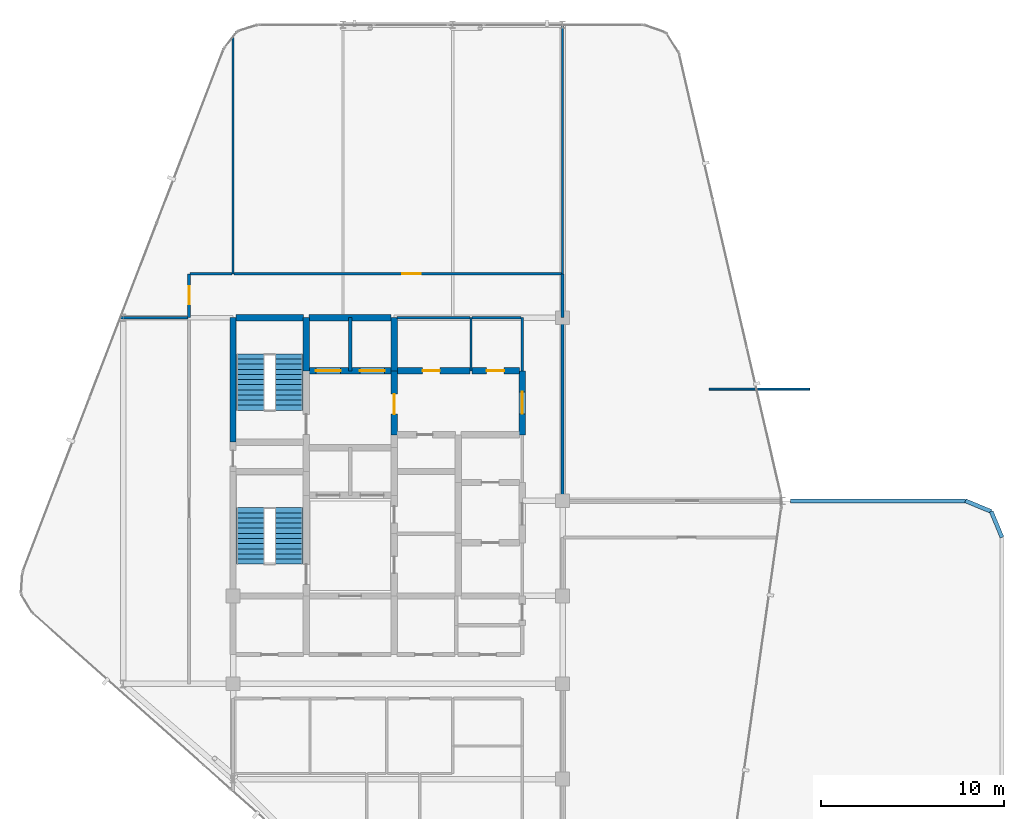
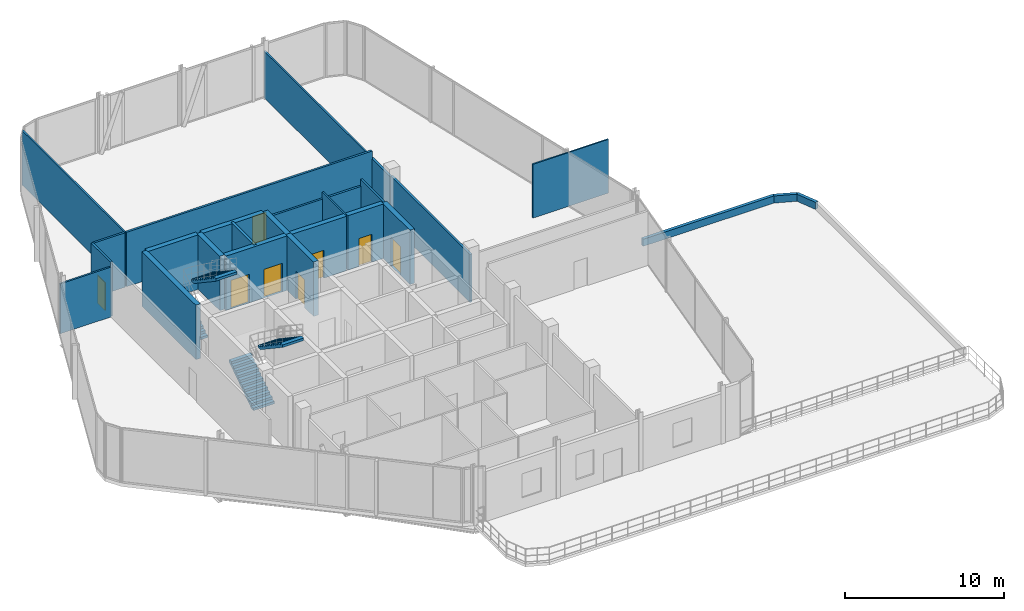
# One storey, part 22 of 24: 27 walls, 8 doors, 4 stair flights, 8 openings, 2 elements without a shape of their own.
"""IFC4 building model written with IfcOpenShell, lengths in metres."""

from ifc_helpers import new_model, si_unit, direction, frame, frame_2d, origin, place, context, subcontext, project, spatial, polyline, rectangle, outline, extrude, material, layer, layer_set, type_object, element, fill, aggregate, save


model = new_model("IFC4")

# Units and contexts
model_context = context("Model", 3, precision=1e-05, world=origin(), true_north=direction((0.0, 1.0)))
body_context = subcontext(model_context, "Body", "Model", "MODEL_VIEW")
ifc_project = project(units=[si_unit("LENGTHUNIT", "METRE"), si_unit("AREAUNIT", "SQUARE_METRE"), si_unit("VOLUMEUNIT", "CUBIC_METRE"), si_unit("PLANEANGLEUNIT", "RADIAN"), si_unit("MASSUNIT", "GRAM", prefix="KILO")], contexts=[model_context])

# Site, building, storey
site_placement = place(None, origin())
site = spatial("IfcSite", under=ifc_project, at=site_placement, CompositionType="ELEMENT")
building_placement = place(site_placement, origin())
building = spatial("IfcBuilding", under=site, at=building_placement, Name="Keshet Zoharim Tower", CompositionType="ELEMENT")
storey_placement = place(building_placement, frame((0.0, 0.0, 242.800048828125)))
storey = spatial("IfcBuildingStorey", under=building, at=storey_placement, Name="L60", CompositionType="ELEMENT", Elevation=242.800048828125)

# Wall, opening, door
ifc_material_1 = material(Name="Gypsum Plasterboard", Category="gypsum")
ifc_layer_1 = layer(ifc_material_1, 0.14990234375)
ifc_layer_set_1 = layer_set([ifc_layer_1], Name="Gypsum Plasterboard")
wall_type_1 = type_object("IfcWallType", Name="WL-CLIN-150", PredefinedType="STANDARD", material=ifc_layer_set_1)
wall_1_placement = place(storey_placement, frame((12.60009765625, 37.89990234375, 0.0), z_axis=(0.0, 0.0, 1.0), x_axis=(0.0, 1.0, 0.0)))
wall_1 = element("IfcWall", 1, at=wall_1_placement, inside=storey, type_object=wall_type_1, Name="L60 Interior Wall 002", PredefinedType="STANDARD", context=body_context, shape_type="SweptSolid", body=[
    extrude(rectangle(XDim=2.400146484375, YDim=0.14990234375, at=frame_2d((1.2001953125, 0.0))), origin(), (0.0, 0.0, 1.0), 4.18994140625),
])
opening_1_placement = place(wall_1_placement, frame((0.72509765625, 0.0, 0.0)))
opening_1 = element("IfcOpeningElement", 2, at=opening_1_placement, cuts=wall_1, Name="Opening D-F310", PredefinedType="OPENING", context=body_context, shape_type="SweptSolid", body=[
    extrude(rectangle(XDim=1.0, YDim=2.14990234375, at=frame_2d((0.5, 1.074951171875))), frame((0.0, 0.0849609375, 0.0), z_axis=(0.0, -1.0, 0.0), x_axis=(1.0, 0.0, 0.0)), (0.0, 0.0, 1.0), 0.169921875),
])
ifc_material_2 = material(Name="Hardwood Timber", Category="wood")
door_type_1 = type_object("IfcDoorType", Name="DR-FD30-100", OperationType="NOTDEFINED", PredefinedType="DOOR", material=ifc_material_2)
door_1_placement = place(opening_1_placement, origin())
door_1 = element("IfcDoor", 3, at=door_1_placement, inside=storey, type_object=door_type_1, Name="L60 North-West Residents Salon Door", OperationType="SINGLE_SWING_LEFT", OverallHeight=2.14990234375, OverallWidth=1.0, PredefinedType="DOOR", context=body_context, shape_type="SweptSolid", body=[
    extrude(rectangle(XDim=1.0, YDim=2.14990234375, at=frame_2d((0.5, 1.074951171875))), frame((0.0, 0.02490234375, 0.0), z_axis=(0.0, -1.0, 0.0), x_axis=(1.0, 0.0, 0.0)), (0.0, 0.0, 1.0), 0.050048828125),
])
fill(opening_1, door_1)

# Walls
wall_2_placement = place(storey_placement, frame((30.800048828125, 35.0, 0.0), z_axis=(0.0, 0.0, 1.0), x_axis=(0.0, 1.0, 0.0)))
element("IfcWall", 4, at=wall_2_placement, inside=storey, type_object=wall_type_1, Name="L60 Interior Wall 045", PredefinedType="STANDARD", context=body_context, shape_type="SweptSolid", body=[
    extrude(rectangle(XDim=2.89990234375, YDim=0.14990234375, at=frame_2d((1.449951171875, 0.0))), origin(), (0.0, 0.0, 1.0), 4.18994140625),
])
wall_3_placement = place(storey_placement, frame((33.0, 27.89990234375, 0.0), z_axis=(0.0, 0.0, 1.0), x_axis=(0.0, 1.0, 0.0)))
element("IfcWall", 5, at=wall_3_placement, inside=storey, type_object=wall_type_1, Name="L60 Interior Wall 047", PredefinedType="STANDARD", context=body_context, shape_type="SweptSolid", body=[
    extrude(rectangle(XDim=10.0, YDim=0.14990234375, at=frame_2d((5.0, 0.0))), origin(), (0.0, 0.0, 1.0), 3.68994140625),
])
wall_4_placement = place(storey_placement, frame((23.9599609375, 37.89990234375, 0.0), z_axis=(0.0, 0.0, 1.0), x_axis=(1.0, 0.0, 0.0)))
element("IfcWall", 6, at=wall_4_placement, inside=storey, type_object=wall_type_1, Name="L60 Interior Wall 087", PredefinedType="STANDARD", context=body_context, shape_type="SweptSolid", body=[
    extrude(rectangle(XDim=3.9951171875, YDim=0.14990234375, at=frame_2d((1.99755859375, 0.0))), origin(), (0.0, 0.0, 1.0), 3.68994140625),
])
wall_5_placement = place(storey_placement, frame((28.044921875, 37.89990234375, 0.0), z_axis=(0.0, 0.0, 1.0), x_axis=(1.0, 0.0, 0.0)))
element("IfcWall", 7, at=wall_5_placement, inside=storey, type_object=wall_type_1, Name="L60 Interior Wall 088", PredefinedType="STANDARD", context=body_context, shape_type="SweptSolid", body=[
    extrude(rectangle(XDim=2.695068359375, YDim=0.14990234375, at=frame_2d((1.34765625, 0.0))), origin(), (0.0, 0.0, 1.0), 3.68994140625),
])
wall_6_placement = place(storey_placement, frame((12.659912109375, 40.300048828125, 0.0), z_axis=(0.0, 0.0, 1.0), x_axis=(1.0, 0.0, 0.0)))
element("IfcWall", 8, at=wall_6_placement, inside=storey, type_object=wall_type_1, Name="L60 Interior Wall 089", PredefinedType="STANDARD", context=body_context, shape_type="SweptSolid", body=[
    extrude(rectangle(XDim=2.295166015625, YDim=0.14990234375, at=frame_2d((1.1474609375, 0.0))), origin(), (0.0, 0.0, 1.0), 4.18994140625),
])

# Wall, opening, door
wall_7_placement = place(storey_placement, frame((15.044921875, 40.300048828125, 0.0), z_axis=(0.0, 0.0, 1.0), x_axis=(1.0, 0.0, 0.0)))
wall_7 = element("IfcWall", 9, at=wall_7_placement, inside=storey, type_object=wall_type_1, Name="L60 Interior Wall 090", PredefinedType="STANDARD", context=body_context, shape_type="SweptSolid", body=[
    extrude(rectangle(XDim=17.89501953125, YDim=0.14990234375, at=frame_2d((8.947509765625, 0.0))), origin(), (0.0, 0.0, 1.0), 4.18994140625),
])
opening_2_placement = place(wall_7_placement, frame((9.205078125, 0.0, 0.0)))
opening_2 = element("IfcOpeningElement", 10, at=opening_2_placement, cuts=wall_7, Name="Opening D-F310", PredefinedType="OPENING", context=body_context, shape_type="SweptSolid", body=[
    extrude(rectangle(XDim=1.0, YDim=2.14990234375, at=frame_2d((0.5, 1.074951171875))), frame((0.0, 0.0849609375, 0.0), z_axis=(0.0, -1.0, 0.0), x_axis=(1.0, 0.0, 0.0)), (0.0, 0.0, 1.0), 0.169921875),
])
door_2_placement = place(opening_2_placement, origin())
door_2 = element("IfcDoor", 11, at=door_2_placement, inside=storey, type_object=door_type_1, Name="L60 Library and Study Room Door", OperationType="SINGLE_SWING_RIGHT", OverallHeight=2.14990234375, OverallWidth=1.0, PredefinedType="DOOR", context=body_context, shape_type="SweptSolid", body=[
    extrude(rectangle(XDim=1.0, YDim=2.14990234375, at=frame_2d((0.5, 1.074951171875))), frame((0.0, 0.02490234375, 0.0), z_axis=(0.0, -1.0, 0.0), x_axis=(1.0, 0.0, 0.0)), (0.0, 0.0, 1.0), 0.050048828125),
])
fill(opening_2, door_2)

# Walls
wall_8_placement = place(storey_placement, frame((33.0, 37.89990234375, 0.0), z_axis=(0.0, 0.0, 1.0), x_axis=(0.0, 1.0, 0.0)))
element("IfcWall", 12, at=wall_8_placement, inside=storey, type_object=wall_type_1, Name="L60 Interior Wall 047 Part 2", PredefinedType="STANDARD", context=body_context, shape_type="SweptSolid", body=[
    extrude(rectangle(XDim=2.400146484375, YDim=0.14990234375, at=frame_2d((1.2001953125, 0.0))), origin(), (0.0, 0.0, 1.0), 3.58984375),
])
ifc_material_3 = material(Name="Concrete C60/75", Category="concrete")
ifc_layer_2 = layer(ifc_material_3, 0.35009765625)
ifc_layer_set_2 = layer_set([ifc_layer_2], Name="Concrete C60/75")
wall_type_2 = type_object("IfcWallType", Name="WL-CORE-350", PredefinedType="SHEAR", material=ifc_layer_set_2)
wall_9_placement = place(storey_placement, frame((15.0, 31.10009765625, 0.0), z_axis=(0.0, 0.0, 1.0), x_axis=(0.0, 1.0, 0.0)))
element("IfcWall", 13, at=wall_9_placement, inside=storey, type_object=wall_type_2, Name="L60 Core Shear Wall 008", PredefinedType="SHEAR", context=body_context, shape_type="SweptSolid", body=[
    extrude(rectangle(XDim=6.7998046875, YDim=0.35009765625, at=frame_2d((3.39990234375, 0.0))), origin(), (0.0, 0.0, 1.0), 4.18994140625),
])
wall_10_placement = place(storey_placement, frame((19.0, 35.0, 0.0), z_axis=(0.0, 0.0, 1.0), x_axis=(0.0, 1.0, 0.0)))
element("IfcWall", 14, at=wall_10_placement, inside=storey, type_object=wall_type_2, Name="L60 Core Shear Wall 014", PredefinedType="SHEAR", context=body_context, shape_type="SweptSolid", body=[
    extrude(rectangle(XDim=2.89990234375, YDim=0.35009765625, at=frame_2d((1.449951171875, 0.0))), origin(), (0.0, 0.0, 1.0), 4.18994140625),
])

# Wall, opening, door
wall_11_placement = place(storey_placement, frame((23.800048828125, 31.5, 0.0), z_axis=(0.0, 0.0, 1.0), x_axis=(0.0, 1.0, 0.0)))
wall_11 = element("IfcWall", 15, at=wall_11_placement, inside=storey, type_object=wall_type_2, Name="L60 Core Shear Wall 025", PredefinedType="SHEAR", context=body_context, shape_type="SweptSolid", body=[
    extrude(rectangle(XDim=3.5, YDim=0.35009765625, at=frame_2d((1.75, 0.0))), origin(), (0.0, 0.0, 1.0), 4.18994140625),
])
opening_3_placement = place(wall_11_placement, frame((1.126953125, 0.0, 0.0)))
opening_3 = element("IfcOpeningElement", 16, at=opening_3_placement, cuts=wall_11, Name="Opening D-F611", PredefinedType="OPENING", context=body_context, shape_type="SweptSolid", body=[
    extrude(rectangle(XDim=1.10009765625, YDim=2.14990234375, at=frame_2d((0.550048828125, 1.074951171875))), frame((0.0, 0.18505859375, 0.0), z_axis=(0.0, -1.0, 0.0), x_axis=(1.0, 0.0, 0.0)), (0.0, 0.0, 1.0), 0.3701171875),
])
door_type_2 = type_object("IfcDoorType", Name="DR-FD60-110", OperationType="NOTDEFINED", PredefinedType="DOOR", material=ifc_material_2)
door_3_placement = place(opening_3_placement, origin())
door_3 = element("IfcDoor", 17, at=door_3_placement, inside=storey, type_object=door_type_2, Name="L60 Firefighting Lobby Fire Door", OperationType="SINGLE_SWING_LEFT", OverallHeight=2.14990234375, OverallWidth=1.10009765625, PredefinedType="DOOR", context=body_context, shape_type="SweptSolid", body=[
    extrude(rectangle(XDim=1.10009765625, YDim=2.14990234375, at=frame_2d((0.550048828125, 1.074951171875))), frame((0.0, 0.02490234375, 0.0), z_axis=(0.0, -1.0, 0.0), x_axis=(1.0, 0.0, 0.0)), (0.0, 0.0, 1.0), 0.050048828125),
])
fill(opening_3, door_3)

# Wall
wall_12_placement = place(storey_placement, frame((23.800048828125, 35.0, 0.0), z_axis=(0.0, 0.0, 1.0), x_axis=(0.0, 1.0, 0.0)))
element("IfcWall", 18, at=wall_12_placement, inside=storey, type_object=wall_type_2, Name="L60 Core Shear Wall 026", PredefinedType="SHEAR", context=body_context, shape_type="SweptSolid", body=[
    extrude(rectangle(XDim=2.89990234375, YDim=0.35009765625, at=frame_2d((1.449951171875, 0.0))), origin(), (0.0, 0.0, 1.0), 4.18994140625),
])

# Wall, opening, door
wall_13_placement = place(storey_placement, frame((30.800048828125, 31.5, 0.0), z_axis=(0.0, 0.0, 1.0), x_axis=(0.0, 1.0, 0.0)))
wall_13 = element("IfcWall", 19, at=wall_13_placement, inside=storey, type_object=wall_type_2, Name="L60 Core Shear Wall 044", PredefinedType="SHEAR", context=body_context, shape_type="SweptSolid", body=[
    extrude(rectangle(XDim=3.5, YDim=0.35009765625, at=frame_2d((1.75, 0.0))), origin(), (0.0, 0.0, 1.0), 4.18994140625),
])
opening_4_placement = place(wall_13_placement, frame((1.14990234375, 0.0, 0.0)))
opening_4 = element("IfcOpeningElement", 20, at=opening_4_placement, cuts=wall_13, Name="Opening D-F612", PredefinedType="OPENING", context=body_context, shape_type="SweptSolid", body=[
    extrude(rectangle(XDim=1.199951171875, YDim=2.199951171875, at=frame_2d((0.60009765625, 1.10009765625))), frame((0.0, 0.18505859375, 0.0), z_axis=(0.0, -1.0, 0.0), x_axis=(1.0, 0.0, 0.0)), (0.0, 0.0, 1.0), 0.3701171875),
])
door_type_3 = type_object("IfcDoorType", Name="DR-FD60-120", OperationType="NOTDEFINED", PredefinedType="DOOR", material=ifc_material_2)
door_4_placement = place(opening_4_placement, origin())
door_4 = element("IfcDoor", 21, at=door_4_placement, inside=storey, type_object=door_type_3, Name="L60 North Lift Lobby East Fire Door", OperationType="SINGLE_SWING_RIGHT", OverallHeight=2.199951171875, OverallWidth=1.199951171875, PredefinedType="DOOR", context=body_context, shape_type="SweptSolid", body=[
    extrude(rectangle(XDim=1.199951171875, YDim=2.199951171875, at=frame_2d((0.60009765625, 1.10009765625))), frame((0.0, 0.02490234375, 0.0), z_axis=(0.0, -1.0, 0.0), x_axis=(1.0, 0.0, 0.0)), (0.0, 0.0, 1.0), 0.050048828125),
])
fill(opening_4, door_4)

# Wall, openings, doors
wall_14_placement = place(storey_placement, frame((19.159912109375, 35.0, 0.0), z_axis=(0.0, 0.0, 1.0), x_axis=(1.0, 0.0, 0.0)))
wall_14 = element("IfcWall", 22, at=wall_14_placement, inside=storey, type_object=wall_type_2, Name="L60 Core Shear Wall 081", PredefinedType="SHEAR", context=body_context, shape_type="SweptSolid", body=[
    extrude(rectangle(XDim=4.47998046875, YDim=0.35009765625, at=frame_2d((2.239990234375, 0.0))), origin(), (0.0, 0.0, 1.0), 4.18994140625),
])
opening_5_placement = place(wall_14_placement, frame((0.364990234375, 0.0, 0.0)))
opening_5 = element("IfcOpeningElement", 23, at=opening_5_placement, cuts=wall_14, Name="Opening LD-02", PredefinedType="OPENING", context=body_context, shape_type="SweptSolid", body=[
    extrude(rectangle(XDim=1.35009765625, YDim=2.199951171875, at=frame_2d((0.675048828125, 1.10009765625))), frame((0.0, 0.18505859375, 0.0), z_axis=(0.0, -1.0, 0.0), x_axis=(1.0, 0.0, 0.0)), (0.0, 0.0, 1.0), 0.3701171875),
])
opening_6_placement = place(wall_14_placement, frame((2.764892578125, 0.0, 0.0)))
opening_6 = element("IfcOpeningElement", 24, at=opening_6_placement, cuts=wall_14, Name="Opening LD-02", PredefinedType="OPENING", context=body_context, shape_type="SweptSolid", body=[
    extrude(rectangle(XDim=1.35009765625, YDim=2.199951171875, at=frame_2d((0.675048828125, 1.10009765625))), frame((0.0, 0.18505859375, 0.0), z_axis=(0.0, -1.0, 0.0), x_axis=(1.0, 0.0, 0.0)), (0.0, 0.0, 1.0), 0.3701171875),
])
ifc_material_4 = material(Name="Steel S355", Category="steel")
door_type_4 = type_object("IfcDoorType", Name="DR-LD02-135", OperationType="DOUBLE_DOOR_SLIDING", PredefinedType="DOOR", material=ifc_material_4)
door_5_placement = place(opening_5_placement, origin())
door_5 = element("IfcDoor", 25, at=door_5_placement, inside=storey, type_object=door_type_4, Name="L60 Firefighting Lift Landing Door FF-01", OperationType="DOUBLE_DOOR_SLIDING", OverallHeight=2.199951171875, OverallWidth=1.35009765625, PredefinedType="DOOR", context=body_context, shape_type="SweptSolid", body=[
    extrude(rectangle(XDim=1.35009765625, YDim=2.199951171875, at=frame_2d((0.675048828125, 1.10009765625))), frame((0.0, 0.02490234375, 0.0), z_axis=(0.0, -1.0, 0.0), x_axis=(1.0, 0.0, 0.0)), (0.0, 0.0, 1.0), 0.050048828125),
])
fill(opening_5, door_5)
door_6_placement = place(opening_6_placement, origin())
door_6 = element("IfcDoor", 26, at=door_6_placement, inside=storey, type_object=door_type_4, Name="L60 Firefighting Lift Landing Door FF-02", OperationType="DOUBLE_DOOR_SLIDING", OverallHeight=2.199951171875, OverallWidth=1.35009765625, PredefinedType="DOOR", context=body_context, shape_type="SweptSolid", body=[
    extrude(rectangle(XDim=1.35009765625, YDim=2.199951171875, at=frame_2d((0.675048828125, 1.10009765625))), frame((0.0, 0.02490234375, 0.0), z_axis=(0.0, -1.0, 0.0), x_axis=(1.0, 0.0, 0.0)), (0.0, 0.0, 1.0), 0.050048828125),
])
fill(opening_6, door_6)

# Wall, opening, door
wall_15_placement = place(storey_placement, frame((23.9599609375, 35.0, 0.0), z_axis=(0.0, 0.0, 1.0), x_axis=(1.0, 0.0, 0.0)))
wall_15 = element("IfcWall", 27, at=wall_15_placement, inside=storey, type_object=wall_type_2, Name="L60 Core Shear Wall 082", PredefinedType="SHEAR", context=body_context, shape_type="SweptSolid", body=[
    extrude(rectangle(XDim=3.9951171875, YDim=0.35009765625, at=frame_2d((1.99755859375, 0.0))), origin(), (0.0, 0.0, 1.0), 4.18994140625),
])
opening_7_placement = place(wall_15_placement, frame((1.39306640625, 0.0, 0.0)))
opening_7 = element("IfcOpeningElement", 28, at=opening_7_placement, cuts=wall_15, Name="Opening D-F695", PredefinedType="OPENING", context=body_context, shape_type="SweptSolid", body=[
    extrude(rectangle(XDim=0.949951171875, YDim=2.14990234375, at=frame_2d((0.47509765625, 1.074951171875))), frame((0.0, 0.18505859375, 0.0), z_axis=(0.0, -1.0, 0.0), x_axis=(1.0, 0.0, 0.0)), (0.0, 0.0, 1.0), 0.3701171875),
])
door_type_5 = type_object("IfcDoorType", Name="DR-FD60-095", OperationType="NOTDEFINED", PredefinedType="DOOR", material=ifc_material_2)
door_7_placement = place(opening_7_placement, frame((0.949951171875, 0.0, 0.0), z_axis=(0.0, 0.0, 1.0), x_axis=(-1.0, 0.0, 0.0)))
door_7 = element("IfcDoor", 29, at=door_7_placement, inside=storey, type_object=door_type_5, Name="L60 Laundry Room Door", OperationType="SINGLE_SWING_RIGHT", OverallHeight=2.14990234375, OverallWidth=0.949951171875, PredefinedType="DOOR", context=body_context, shape_type="SweptSolid", body=[
    extrude(rectangle(XDim=0.949951171875, YDim=2.14990234375, at=frame_2d((0.47509765625, 1.074951171875))), frame((0.0, 0.02490234375, 0.0), z_axis=(0.0, -1.0, 0.0), x_axis=(1.0, 0.0, 0.0)), (0.0, 0.0, 1.0), 0.050048828125),
])
fill(opening_7, door_7)

wall_16_placement = place(storey_placement, frame((28.044921875, 35.0, 0.0), z_axis=(0.0, 0.0, 1.0), x_axis=(1.0, 0.0, 0.0)))
wall_16 = element("IfcWall", 30, at=wall_16_placement, inside=storey, type_object=wall_type_2, Name="L60 Core Shear Wall 083", PredefinedType="SHEAR", context=body_context, shape_type="SweptSolid", body=[
    extrude(rectangle(XDim=2.594970703125, YDim=0.35009765625, at=frame_2d((1.29736328125, 0.0))), origin(), (0.0, 0.0, 1.0), 4.18994140625),
])
opening_8_placement = place(wall_16_placement, frame((0.805908203125, 0.0, 0.0)))
opening_8 = element("IfcOpeningElement", 31, at=opening_8_placement, cuts=wall_16, Name="Opening D-F695", PredefinedType="OPENING", context=body_context, shape_type="SweptSolid", body=[
    extrude(rectangle(XDim=0.949951171875, YDim=2.14990234375, at=frame_2d((0.47509765625, 1.074951171875))), frame((0.0, 0.18505859375, 0.0), z_axis=(0.0, -1.0, 0.0), x_axis=(1.0, 0.0, 0.0)), (0.0, 0.0, 1.0), 0.3701171875),
])
door_8_placement = place(opening_8_placement, frame((0.949951171875, 0.0, 0.0), z_axis=(0.0, 0.0, 1.0), x_axis=(-1.0, 0.0, 0.0)))
door_8 = element("IfcDoor", 32, at=door_8_placement, inside=storey, type_object=door_type_5, Name="L60 Quiet Study Room Door", OperationType="SINGLE_SWING_LEFT", OverallHeight=2.14990234375, OverallWidth=0.949951171875, PredefinedType="DOOR", context=body_context, shape_type="SweptSolid", body=[
    extrude(rectangle(XDim=0.949951171875, YDim=2.14990234375, at=frame_2d((0.47509765625, 1.074951171875))), frame((0.0, 0.02490234375, 0.0), z_axis=(0.0, -1.0, 0.0), x_axis=(1.0, 0.0, 0.0)), (0.0, 0.0, 1.0), 0.050048828125),
])
fill(opening_8, door_8)

# Walls
wall_17_placement = place(storey_placement, frame((15.159912109375, 37.89990234375, 0.0), z_axis=(0.0, 0.0, 1.0), x_axis=(1.0, 0.0, 0.0)))
element("IfcWall", 33, at=wall_17_placement, inside=storey, type_object=wall_type_2, Name="L60 Core Shear Wall 085", PredefinedType="SHEAR", context=body_context, shape_type="SweptSolid", body=[
    extrude(rectangle(XDim=3.68017578125, YDim=0.35009765625, at=frame_2d((1.840087890625, 0.0))), origin(), (0.0, 0.0, 1.0), 4.18994140625),
])
wall_18_placement = place(storey_placement, frame((19.159912109375, 37.89990234375, 0.0), z_axis=(0.0, 0.0, 1.0), x_axis=(1.0, 0.0, 0.0)))
element("IfcWall", 34, at=wall_18_placement, inside=storey, type_object=wall_type_2, Name="L60 Core Shear Wall 086", PredefinedType="SHEAR", context=body_context, shape_type="SweptSolid", body=[
    extrude(rectangle(XDim=4.47998046875, YDim=0.35009765625, at=frame_2d((2.239990234375, 0.0))), origin(), (0.0, 0.0, 1.0), 4.18994140625),
])
ifc_material_5 = material(Name="Concrete C50/60", Category="concrete")
ifc_layer_3 = layer(ifc_material_5, 0.199951171875)
ifc_layer_set_3 = layer_set([ifc_layer_3], Name="Concrete C50/60")
wall_type_3 = type_object("IfcWallType", Name="WL-FIRE-200", PredefinedType="STANDARD", material=ifc_layer_set_3)
wall_19_placement = place(storey_placement, frame((21.39990234375, 35.0, 0.0), z_axis=(0.0, 0.0, 1.0), x_axis=(0.0, 1.0, 0.0)))
element("IfcWall", 35, at=wall_19_placement, inside=storey, type_object=wall_type_3, Name="L60 Interior Wall 017", PredefinedType="STANDARD", context=body_context, shape_type="SweptSolid", body=[
    extrude(rectangle(XDim=2.89990234375, YDim=0.199951171875, at=frame_2d((1.449951171875, 0.0))), origin(), (0.0, 0.0, 1.0), 4.18994140625),
])
ifc_layer_4 = layer(ifc_material_1, 0.10009765625)
ifc_layer_set_4 = layer_set([ifc_layer_4], Name="Gypsum Plasterboard")
wall_type_4 = type_object("IfcWallType", Name="WL-MOV-100", PredefinedType="MOVABLE", material=ifc_layer_set_4)
wall_20_placement = place(storey_placement, frame((41.0, 34.0, 0.0), z_axis=(0.0, 0.0, 1.0), x_axis=(1.0, 0.0, 0.0)))
element("IfcWall", 36, at=wall_20_placement, inside=storey, type_object=wall_type_4, Name="L60 Community Hall Movable Acoustic Partition", PredefinedType="MOVABLE", context=body_context, shape_type="SweptSolid", body=[
    extrude(rectangle(XDim=5.5, YDim=0.10009765625, at=frame_2d((2.75, 0.0))), origin(), (0.0, 0.0, 1.0), 4.139892578125),
])
ifc_material_6 = material(Name="Concrete C50/60 precast", Category="concrete")
ifc_layer_5 = layer(ifc_material_6, 0.219970703125)
ifc_layer_set_5 = layer_set([ifc_layer_5], Name="Concrete C50/60 precast")
wall_type_5 = type_object("IfcWallType", Name="WL-PAR-220", PredefinedType="PARAPET", material=ifc_layer_set_5)
wall_21_placement = place(storey_placement, frame((56.4140625, 27.31396484375, 0.0), z_axis=(0.0, 0.0, 1.0), x_axis=(0.382802560388, -0.92383017907, 0.0)))
element("IfcWall", 37, at=wall_21_placement, inside=storey, type_object=wall_type_5, Name="L60 Setback Roof Parapet 01", PredefinedType="PARAPET", context=body_context, shape_type="SweptSolid", body=[
    extrude(rectangle(XDim=1.53076171875, YDim=0.219970703125, at=frame_2d((0.765380859375, 0.0))), origin(), (0.0, 0.0, 1.0), 0.550048828125),
])
wall_22_placement = place(storey_placement, frame((45.451904296875, 27.89990234375, 0.0), z_axis=(0.0, 0.0, 1.0), x_axis=(1.0, 0.0, 0.0)))
element("IfcWall", 38, at=wall_22_placement, inside=storey, type_object=wall_type_5, Name="L60 Setback Roof Parapet 03", PredefinedType="PARAPET", context=body_context, shape_type="SweptSolid", body=[
    extrude(rectangle(XDim=9.548095703125, YDim=0.219970703125, at=frame_2d((4.77392578125, 0.0))), origin(), (0.0, 0.0, 1.0), 0.550048828125),
])
wall_23_placement = place(storey_placement, frame((55.0, 27.89990234375, 0.0), z_axis=(0.0, 0.0, 1.0), x_axis=(0.92383017907, -0.382802560388, 0.0)))
element("IfcWall", 39, at=wall_23_placement, inside=storey, type_object=wall_type_5, Name="L60 Setback Roof Parapet 04", PredefinedType="PARAPET", context=body_context, shape_type="SweptSolid", body=[
    extrude(rectangle(XDim=1.53076171875, YDim=0.219970703125, at=frame_2d((0.765380859375, 0.0))), origin(), (0.0, 0.0, 1.0), 0.550048828125),
])
ifc_layer_6 = layer(ifc_material_1, 0.1201171875)
ifc_layer_set_6 = layer_set([ifc_layer_6], Name="Gypsum Plasterboard")
wall_type_6 = type_object("IfcWallType", Name="WL-PART-120", PredefinedType="PARTITIONING", material=ifc_layer_set_6)
wall_24_placement = place(storey_placement, frame((15.0, 40.300048828125, 0.0), z_axis=(0.0, 0.0, 1.0), x_axis=(0.0, 1.0, 0.0)))
element("IfcWall", 40, at=wall_24_placement, inside=storey, type_object=wall_type_6, Name="L60 Interior Wall 009", PredefinedType="PARTITIONING", context=body_context, shape_type="SweptSolid", body=[
    extrude(rectangle(XDim=12.932861328125, YDim=0.1201171875, at=frame_2d((6.46630859375, 0.0))), origin(), (0.0, 0.0, 1.0), 4.18994140625),
])
wall_25_placement = place(storey_placement, frame((28.0, 35.0, 0.0), z_axis=(0.0, 0.0, 1.0), x_axis=(0.0, 1.0, 0.0)))
element("IfcWall", 41, at=wall_25_placement, inside=storey, type_object=wall_type_6, Name="L60 Interior Wall 036", PredefinedType="PARTITIONING", context=body_context, shape_type="SweptSolid", body=[
    extrude(rectangle(XDim=2.89990234375, YDim=0.1201171875, at=frame_2d((1.449951171875, 0.0))), origin(), (0.0, 0.0, 1.0), 4.18994140625),
])
wall_26_placement = place(storey_placement, frame((33.0, 40.300048828125, 0.0), z_axis=(0.0, 0.0, 1.0), x_axis=(0.0, 1.0, 0.0)))
element("IfcWall", 42, at=wall_26_placement, inside=storey, type_object=wall_type_6, Name="L60 Interior Wall 048", PredefinedType="PARTITIONING", context=body_context, shape_type="SweptSolid", body=[
    extrude(rectangle(XDim=13.58984375, YDim=0.1201171875, at=frame_2d((6.794921875, 0.0))), origin(), (0.0, 0.0, 1.0), 3.58984375),
])
wall_27_placement = place(storey_placement, frame((8.85595703125, 37.89990234375, 0.0), z_axis=(0.0, 0.0, 1.0), x_axis=(1.0, 0.0, 0.0)))
element("IfcWall", 43, at=wall_27_placement, inside=storey, type_object=wall_type_6, Name="L60 Interior Wall 084", PredefinedType="PARTITIONING", context=body_context, shape_type="SweptSolid", body=[
    extrude(rectangle(XDim=3.68408203125, YDim=0.1201171875, at=frame_2d((1.842041015625, 0.0))), origin(), (0.0, 0.0, 1.0), 3.83984375),
])

# Stair, stair flights
stair_type = type_object("IfcStairType", Name="STR-EXIT-135", PredefinedType="HALF_TURN_STAIR", material=ifc_material_5)
stair_1_placement = place(storey_placement, origin())
stair_1 = element("IfcStair", 44, at=stair_1_placement, inside=storey, type_object=stair_type, Name="L60 Enclosed Exit Stair ST-01", PredefinedType="HALF_TURN_STAIR")
stair_flight_type = type_object("IfcStairFlightType", Name="FLT-PRE-135", PredefinedType="STRAIGHT", material=ifc_material_5)
stair_flight_1_placement = place(storey_placement, frame((15.945068359375, 24.43994140625, 0.0), z_axis=(0.0, 0.0, 1.0), x_axis=(0.0, 1.0, 0.0)))
stair_flight_1 = element("IfcStairFlight", 45, at=stair_flight_1_placement, type_object=stair_flight_type, Name="ST-01 flight 1", NumberOfRisers=12, NumberOfTreads=11, PredefinedType="STRAIGHT", RiserHeight=0.1875, TreadLength=0.28, context=body_context, shape_type="SweptSolid", body=[
    extrude(outline(polyline([(0.0, 0.0), (0.0, 0.1875), (0.280029296875, 0.1875), (0.280029296875, 0.375), (0.56005859375, 0.375), (0.56005859375, 0.5625), (0.840087890625, 0.5625), (0.840087890625, 0.75), (1.1201171875, 0.75), (1.1201171875, 0.9375), (1.39990234375, 0.9375), (1.39990234375, 1.125), (1.679931640625, 1.125), (1.679931640625, 1.3125), (1.9599609375, 1.3125), (1.9599609375, 1.5), (2.239990234375, 1.5), (2.239990234375, 1.6875), (2.52001953125, 1.6875), (2.52001953125, 1.875), (2.800048828125, 1.875), (2.800048828125, 2.0625), (3.080078125, 2.0625), (3.080078125, 2.25), (3.080078125, 1.8701171875), (0.287353515625, 0.0), (0.0, 0.0)])), frame((0.0, 0.76513671875, 0.0), z_axis=(0.0, -1.0, 0.0), x_axis=(1.0, 0.0, 0.0)), (0.0, 0.0, 1.0), 1.530029296875),
])
stair_flight_2_placement = place(storey_placement, frame((18.054931640625, 27.52001953125, 2.25), z_axis=(0.0, 0.0, 1.0), x_axis=(0.0, -1.0, 0.0)))
stair_flight_2 = element("IfcStairFlight", 46, at=stair_flight_2_placement, type_object=stair_flight_type, Name="ST-01 flight 2", NumberOfRisers=12, NumberOfTreads=11, PredefinedType="STRAIGHT", RiserHeight=0.1875, TreadLength=0.28, context=body_context, shape_type="SweptSolid", body=[
    extrude(outline(polyline([(0.0, 0.0), (0.0, 0.1875), (0.280029296875, 0.1875), (0.280029296875, 0.375), (0.56005859375, 0.375), (0.56005859375, 0.5625), (0.840087890625, 0.5625), (0.840087890625, 0.75), (1.1201171875, 0.75), (1.1201171875, 0.9375), (1.39990234375, 0.9375), (1.39990234375, 1.125), (1.679931640625, 1.125), (1.679931640625, 1.3125), (1.9599609375, 1.3125), (1.9599609375, 1.5), (2.239990234375, 1.5), (2.239990234375, 1.6875), (2.52001953125, 1.6875), (2.52001953125, 1.875), (2.800048828125, 1.875), (2.800048828125, 2.0625), (3.080078125, 2.0625), (3.080078125, 2.25), (3.080078125, 1.8701171875), (0.287353515625, 0.0), (0.0, 0.0)])), frame((0.0, 0.76513671875, 0.0), z_axis=(0.0, -1.0, 0.0), x_axis=(1.0, 0.0, 0.0)), (0.0, 0.0, 1.0), 1.530029296875),
])
aggregate(stair_1, [stair_flight_1, stair_flight_2])

stair_2_placement = place(storey_placement, origin())
stair_2 = element("IfcStair", 47, at=stair_2_placement, inside=storey, type_object=stair_type, Name="L60 Enclosed Exit Stair ST-02", PredefinedType="HALF_TURN_STAIR")
stair_flight_3_placement = place(storey_placement, frame((15.945068359375, 32.840087890625, 0.0), z_axis=(0.0, 0.0, 1.0), x_axis=(0.0, 1.0, 0.0)))
stair_flight_3 = element("IfcStairFlight", 48, at=stair_flight_3_placement, type_object=stair_flight_type, Name="ST-02 flight 1", NumberOfRisers=12, NumberOfTreads=11, PredefinedType="STRAIGHT", RiserHeight=0.1875, TreadLength=0.28, context=body_context, shape_type="SweptSolid", body=[
    extrude(outline(polyline([(0.0, 0.0), (0.0, 0.1875), (0.280029296875, 0.1875), (0.280029296875, 0.375), (0.56005859375, 0.375), (0.56005859375, 0.5625), (0.840087890625, 0.5625), (0.840087890625, 0.75), (1.1201171875, 0.75), (1.1201171875, 0.9375), (1.39990234375, 0.9375), (1.39990234375, 1.125), (1.679931640625, 1.125), (1.679931640625, 1.3125), (1.9599609375, 1.3125), (1.9599609375, 1.5), (2.239990234375, 1.5), (2.239990234375, 1.6875), (2.52001953125, 1.6875), (2.52001953125, 1.875), (2.800048828125, 1.875), (2.800048828125, 2.0625), (3.080078125, 2.0625), (3.080078125, 2.25), (3.080078125, 1.8701171875), (0.287353515625, 0.0), (0.0, 0.0)])), frame((0.0, 0.76513671875, 0.0), z_axis=(0.0, -1.0, 0.0), x_axis=(1.0, 0.0, 0.0)), (0.0, 0.0, 1.0), 1.530029296875),
])
stair_flight_4_placement = place(storey_placement, frame((18.054931640625, 35.919921875, 2.25), z_axis=(0.0, 0.0, 1.0), x_axis=(0.0, -1.0, 0.0)))
stair_flight_4 = element("IfcStairFlight", 49, at=stair_flight_4_placement, type_object=stair_flight_type, Name="ST-02 flight 2", NumberOfRisers=12, NumberOfTreads=11, PredefinedType="STRAIGHT", RiserHeight=0.1875, TreadLength=0.28, context=body_context, shape_type="SweptSolid", body=[
    extrude(outline(polyline([(0.0, 0.0), (0.0, 0.1875), (0.280029296875, 0.1875), (0.280029296875, 0.375), (0.56005859375, 0.375), (0.56005859375, 0.5625), (0.840087890625, 0.5625), (0.840087890625, 0.75), (1.1201171875, 0.75), (1.1201171875, 0.9375), (1.39990234375, 0.9375), (1.39990234375, 1.125), (1.679931640625, 1.125), (1.679931640625, 1.3125), (1.9599609375, 1.3125), (1.9599609375, 1.5), (2.239990234375, 1.5), (2.239990234375, 1.6875), (2.52001953125, 1.6875), (2.52001953125, 1.875), (2.800048828125, 1.875), (2.800048828125, 2.0625), (3.080078125, 2.0625), (3.080078125, 2.25), (3.080078125, 1.8701171875), (0.287353515625, 0.0), (0.0, 0.0)])), frame((0.0, 0.76513671875, 0.0), z_axis=(0.0, -1.0, 0.0), x_axis=(1.0, 0.0, 0.0)), (0.0, 0.0, 1.0), 1.530029296875),
])
aggregate(stair_2, [stair_flight_3, stair_flight_4])

save(model, "model.ifc")
